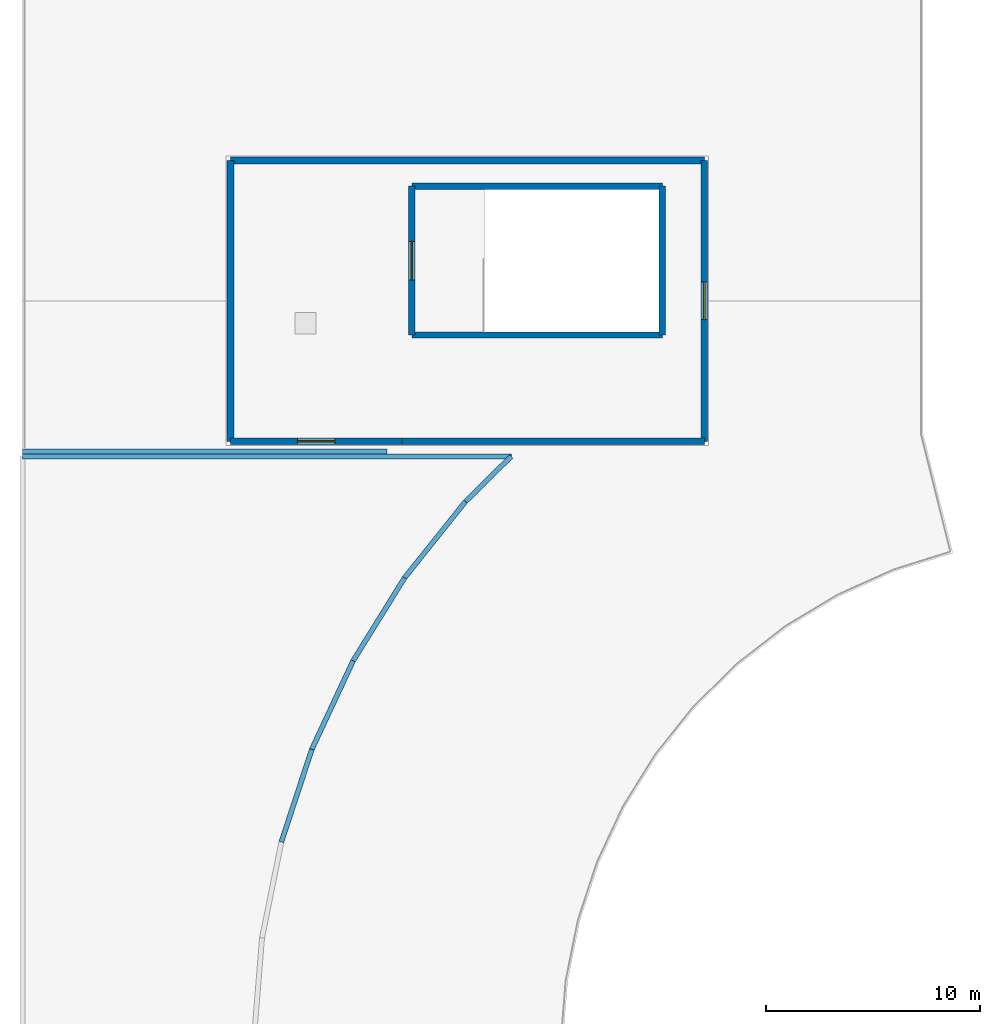
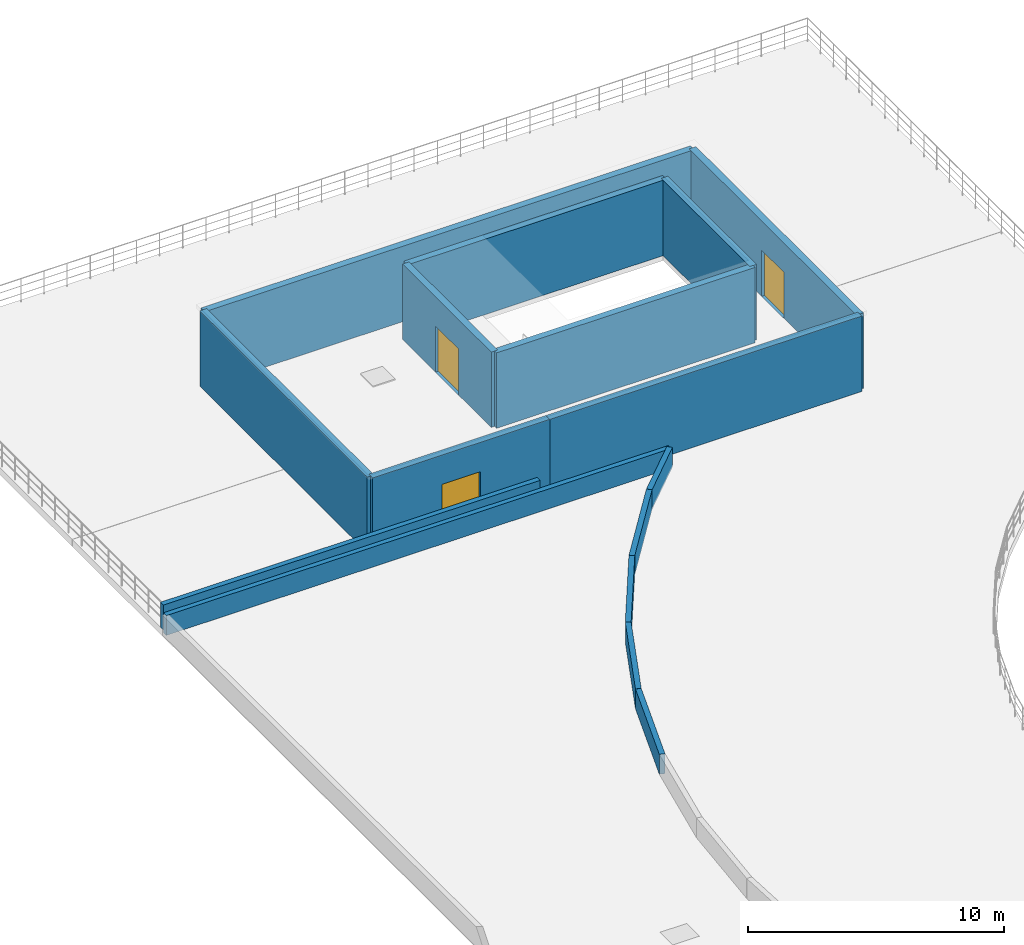
# One storey, part 27 of 45: 16 walls, 3 doors, 3 openings.
"""IFC4 building model written with IfcOpenShell, lengths in metres."""

from ifc_helpers import new_model, si_unit, direction, frame, frame_2d, origin, place, context, subcontext, project, spatial, rectangle, extrude, material, layer, layer_set, type_object, element, fill, save


model = new_model("IFC4")

# Units and contexts
model_context = context("Model", 3, precision=1e-05, world=origin(), true_north=direction((0.0, 1.0)))
body_context = subcontext(model_context, "Body", "Model", "MODEL_VIEW")
ifc_project = project(units=[si_unit("LENGTHUNIT", "METRE"), si_unit("AREAUNIT", "SQUARE_METRE"), si_unit("VOLUMEUNIT", "CUBIC_METRE"), si_unit("PLANEANGLEUNIT", "RADIAN"), si_unit("MASSUNIT", "GRAM", prefix="KILO")], contexts=[model_context])

# Site, building, storey
site_placement = place(None, origin())
site = spatial("IfcSite", under=ifc_project, at=site_placement, CompositionType="ELEMENT")
building_placement = place(site_placement, origin())
building = spatial("IfcBuilding", under=site, at=building_placement, Name="Cinderbank Siding Concert Hall", CompositionType="ELEMENT")
storey_placement = place(building_placement, frame((0.0, 0.0, 19.199951171875)))
storey = spatial("IfcBuildingStorey", under=building, at=storey_placement, Name="L05", CompositionType="ELEMENT", Elevation=19.199951171875)

# Wall, opening, door
ifc_material_1 = material(Name="Reinforced concrete AS 3600 N50 (50 MPa)", Category="concrete")
ifc_layer_1 = layer(ifc_material_1, 0.300048828125)
ifc_layer_set_1 = layer_set([ifc_layer_1], Name="Reinforced concrete AS 3600 N50 (50 MPa)")
wall_type_1 = type_object("IfcWallType", Name="WL-03 Structural Wall 300mm", PredefinedType="SHEAR", material=ifc_layer_set_1)
wall_1_placement = place(storey_placement, frame((24.9599609375, 101.4599609375, 0.0), z_axis=(0.0, 0.0, 1.0), x_axis=(0.0, 1.0, 0.0)))
wall_1 = element("IfcWall", 1, at=wall_1_placement, inside=storey, type_object=wall_type_1, Name="L05 ST-05 Core Wall ENTRY", PredefinedType="SHEAR", context=body_context, shape_type="SweptSolid", body=[
    extrude(rectangle(XDim=6.93994140625, YDim=0.300048828125, at=frame_2d((3.469970703125, 0.0))), origin(), (0.0, 0.0, 1.0), 3.60009765625),
])
opening_1_placement = place(wall_1_placement, frame((2.570068359375, 0.0, 0.0)))
opening_1 = element("IfcOpeningElement", 2, at=opening_1_placement, cuts=wall_1, Name="Opening D-05", PredefinedType="OPENING", context=body_context, shape_type="SweptSolid", body=[
    extrude(rectangle(XDim=1.800048828125, YDim=2.199951171875, at=frame_2d((0.89990234375, 1.10009765625))), frame((0.0, 0.162109375, 0.0), z_axis=(0.0, -1.0, 0.0), x_axis=(1.0, 0.0, 0.0)), (0.0, 0.0, 1.0), 0.323974609375),
])
ifc_material_2 = material(Name="Galvanised sheet steel acoustic fire door assembly", Category="steel")
door_type_1 = type_object("IfcDoorType", Name="D-05 Interior Door 1800x2200", OperationType="DOUBLE_DOOR_SINGLE_SWING", PredefinedType="DOOR", material=ifc_material_2)
door_1_placement = place(opening_1_placement, origin())
door_1 = element("IfcDoor", 3, at=door_1_placement, inside=storey, type_object=door_type_1, Name="L05 ST-05 Fire Stair Door L05-D034", OperationType="DOUBLE_DOOR_SINGLE_SWING", OverallHeight=2.199951171875, OverallWidth=1.800048828125, PredefinedType="DOOR", context=body_context, shape_type="SweptSolid", body=[
    extrude(rectangle(XDim=1.800048828125, YDim=2.199951171875, at=frame_2d((0.89990234375, 1.10009765625))), frame((0.0, 0.02490234375, 0.0), z_axis=(0.0, -1.0, 0.0), x_axis=(1.0, 0.0, 0.0)), (0.0, 0.0, 1.0), 0.050048828125),
])
fill(opening_1, door_1)

# Walls
wall_2_placement = place(storey_placement, frame((36.639892578125, 108.39990234375, 0.0), z_axis=(0.0, 0.0, 1.0), x_axis=(0.0, -1.0, 0.0)))
element("IfcWall", 4, at=wall_2_placement, inside=storey, type_object=wall_type_1, Name="L05 ST-05 Core Wall FAR", PredefinedType="SHEAR", context=body_context, shape_type="SweptSolid", body=[
    extrude(rectangle(XDim=6.93994140625, YDim=0.300048828125, at=frame_2d((3.469970703125, 0.0))), origin(), (0.0, 0.0, 1.0), 3.60009765625),
])
for number, where, z_axis, x_axis, name in (
    (5, (36.639892578125, 101.4599609375, 0.0), (0.0, 0.0, 1.0), (-1.0, 0.0, 0.0), "L05 ST-05 Core Wall SIDE1"),
    (6, (24.9599609375, 108.39990234375, 0.0), (0.0, 0.0, 1.0), (1.0, 0.0, 0.0), "L05 ST-05 Core Wall SIDE2"),
):
    element("IfcWall", number, at=place(storey_placement, frame(where, z_axis=z_axis, x_axis=x_axis)), inside=storey, type_object=wall_type_1, Name=name, PredefinedType="SHEAR", context=body_context, shape_type="SweptSolid", body=[
        extrude(rectangle(XDim=11.679931640625, YDim=0.300048828125, at=frame_2d((5.83984375, 0.0))), origin(), (0.0, 0.0, 1.0), 3.60009765625),
    ])

# Wall, opening, door
ifc_material_3 = material(Name="Clinker clay brickwork masonry AS 3700 (20 MPa)", Category="masonry")
ifc_layer_2 = layer(ifc_material_3, 0.31005859375)
ifc_layer_set_2 = layer_set([ifc_layer_2], Name="Clinker clay brickwork masonry AS 3700 (20 MPa)")
wall_type_2 = type_object("IfcWallType", Name="WL-08 Exterior Wall 310mm", PredefinedType="STANDARD", material=ifc_layer_set_2)
wall_3_placement = place(storey_placement, frame((24.5, 96.5, 0.0), z_axis=(0.0, 0.0, 1.0), x_axis=(-1.0, 0.0, 0.0)))
wall_3 = element("IfcWall", 7, at=wall_3_placement, inside=storey, type_object=wall_type_2, Name="L05 Garden Pavilion Wall EW-GD5-S", PredefinedType="STANDARD", context=body_context, shape_type="SweptSolid", body=[
    extrude(rectangle(XDim=8.0, YDim=0.31005859375, at=frame_2d((4.0, 0.0))), origin(), (0.0, 0.0, 1.0), 3.60009765625),
])
opening_2_placement = place(wall_3_placement, frame((3.125, 0.0, 0.0)))
opening_2 = element("IfcOpeningElement", 8, at=opening_2_placement, cuts=wall_3, Name="Opening TD-01", PredefinedType="OPENING", context=body_context, shape_type="SweptSolid", body=[
    extrude(rectangle(XDim=1.75, YDim=2.199951171875, at=frame_2d((0.875, 1.10009765625))), frame((0.0, 0.1669921875, 0.0), z_axis=(0.0, -1.0, 0.0), x_axis=(1.0, 0.0, 0.0)), (0.0, 0.0, 1.0), 0.333984375),
])
ifc_material_4 = material(Name="Solid-core spotted gum acoustic timber", Category="wood")
door_type_2 = type_object("IfcDoorType", Name="TD-01 Exterior Door 1750x2200", OperationType="DOUBLE_DOOR_SINGLE_SWING", PredefinedType="DOOR", material=ifc_material_4)
door_2_placement = place(opening_2_placement, origin())
door_2 = element("IfcDoor", 9, at=door_2_placement, inside=storey, type_object=door_type_2, Name="L05 Garden Terrace Door L05-ED051", OperationType="DOUBLE_DOOR_SINGLE_SWING", OverallHeight=2.199951171875, OverallWidth=1.75, PredefinedType="DOOR", context=body_context, shape_type="SweptSolid", body=[
    extrude(rectangle(XDim=1.75, YDim=2.199951171875, at=frame_2d((0.875, 1.10009765625))), frame((0.0, 0.02490234375, 0.0), z_axis=(0.0, -1.0, 0.0), x_axis=(1.0, 0.0, 0.0)), (0.0, 0.0, 1.0), 0.050048828125),
])
fill(opening_2, door_2)

# Walls
wall_4_placement = place(storey_placement, frame((38.60009765625, 96.5, 0.0), z_axis=(0.0, 0.0, 1.0), x_axis=(-1.0, 0.0, 0.0)))
element("IfcWall", 10, at=wall_4_placement, inside=storey, type_object=wall_type_2, Name="L05 Garden Pavilion Wall EW-GD5-S2", PredefinedType="STANDARD", context=body_context, shape_type="SweptSolid", body=[
    extrude(rectangle(XDim=14.10009765625, YDim=0.31005859375, at=frame_2d((7.050048828125, 0.0))), origin(), (0.0, 0.0, 1.0), 3.60009765625),
])
wall_5_placement = place(storey_placement, frame((16.5, 109.60009765625, 0.0), z_axis=(0.0, 0.0, 1.0), x_axis=(1.0, 0.0, 0.0)))
element("IfcWall", 11, at=wall_5_placement, inside=storey, type_object=wall_type_2, Name="L05 Garden Pavilion Wall EW-GD5-N", PredefinedType="STANDARD", context=body_context, shape_type="SweptSolid", body=[
    extrude(rectangle(XDim=22.10009765625, YDim=0.31005859375, at=frame_2d((11.050048828125, 0.0))), origin(), (0.0, 0.0, 1.0), 3.60009765625),
])
wall_6_placement = place(storey_placement, frame((16.5, 96.5, 0.0), z_axis=(0.0, 0.0, 1.0), x_axis=(0.0, 1.0, 0.0)))
element("IfcWall", 12, at=wall_6_placement, inside=storey, type_object=wall_type_2, Name="L05 Garden Pavilion Wall EW-GD5-W", PredefinedType="STANDARD", context=body_context, shape_type="SweptSolid", body=[
    extrude(rectangle(XDim=13.10009765625, YDim=0.31005859375, at=frame_2d((6.550048828125, 0.0))), origin(), (0.0, 0.0, 1.0), 3.60009765625),
])

# Wall, opening, door
wall_7_placement = place(storey_placement, frame((38.60009765625, 109.60009765625, 0.0), z_axis=(0.0, 0.0, 1.0), x_axis=(0.0, -1.0, 0.0)))
wall_7 = element("IfcWall", 13, at=wall_7_placement, inside=storey, type_object=wall_type_2, Name="L05 Garden Pavilion Wall EW-GD5-E", PredefinedType="STANDARD", context=body_context, shape_type="SweptSolid", body=[
    extrude(rectangle(XDim=13.10009765625, YDim=0.31005859375, at=frame_2d((6.550048828125, 0.0))), origin(), (0.0, 0.0, 1.0), 3.60009765625),
])
opening_3_placement = place(wall_7_placement, frame((5.675048828125, 0.0, 0.0)))
opening_3 = element("IfcOpeningElement", 14, at=opening_3_placement, cuts=wall_7, Name="Opening TD-01", PredefinedType="OPENING", context=body_context, shape_type="SweptSolid", body=[
    extrude(rectangle(XDim=1.75, YDim=2.199951171875, at=frame_2d((0.875, 1.10009765625))), frame((0.0, 0.1669921875, 0.0), z_axis=(0.0, -1.0, 0.0), x_axis=(1.0, 0.0, 0.0)), (0.0, 0.0, 1.0), 0.333984375),
])
door_3_placement = place(opening_3_placement, origin())
door_3 = element("IfcDoor", 15, at=door_3_placement, inside=storey, type_object=door_type_2, Name="L05 Garden Terrace Door L05-ED052", OperationType="DOUBLE_DOOR_SINGLE_SWING", OverallHeight=2.199951171875, OverallWidth=1.75, PredefinedType="DOOR", context=body_context, shape_type="SweptSolid", body=[
    extrude(rectangle(XDim=1.75, YDim=2.199951171875, at=frame_2d((0.875, 1.10009765625))), frame((0.0, 0.02490234375, 0.0), z_axis=(0.0, -1.0, 0.0), x_axis=(1.0, 0.0, 0.0)), (0.0, 0.0, 1.0), 0.050048828125),
])
fill(opening_3, door_3)

# Walls
ifc_layer_3 = layer(ifc_material_3, 0.22998046875)
ifc_layer_set_3 = layer_set([ifc_layer_3], Name="Clinker clay brickwork masonry AS 3700 (20 MPa)")
wall_type_3 = type_object("IfcWallType", Name="WL-10 Exterior Wall 230mm", PredefinedType="PARAPET", material=ifc_layer_set_3)
wall_8_placement = place(storey_placement, frame((6.800048828125, 96.02001953125, 0.0), z_axis=(0.0, 0.0, 1.0), x_axis=(1.0, 0.0, 0.0)))
element("IfcWall", 16, at=wall_8_placement, inside=storey, type_object=wall_type_3, Name="L05 Garden to West Spine Roof Dividing Parapet", PredefinedType="PARAPET", context=body_context, shape_type="SweptSolid", body=[
    extrude(rectangle(XDim=17.0, YDim=0.22998046875, at=frame_2d((8.5, 0.0))), origin(), (0.0, 0.0, 1.0), 1.199951171875),
])
wall_9_placement = place(storey_placement, frame((6.800048828125, 95.800048828125, -0.119873046875), z_axis=(0.0, 0.0, 1.0), x_axis=(1.0, 0.0, 0.0)))
element("IfcWall", 17, at=wall_9_placement, inside=storey, type_object=wall_type_3, Name="Roof Parapet ROOF-L05-WL-0", PredefinedType="PARAPET", context=body_context, shape_type="SweptSolid", body=[
    extrude(rectangle(XDim=22.798095703125, YDim=0.22998046875, at=frame_2d((11.39892578125, 0.0))), origin(), (0.0, 0.0, 1.0), 0.949951171875),
])
wall_10_placement = place(storey_placement, frame((29.59814453125, 95.800048828125, -0.119873046875), z_axis=(0.0, 0.0, 1.0), x_axis=(-0.712015516951, -0.702163729924, 0.0)))
element("IfcWall", 18, at=wall_10_placement, inside=storey, type_object=wall_type_3, Name="Roof Parapet ROOF-L05-WL-1", PredefinedType="PARAPET", context=body_context, shape_type="SweptSolid", body=[
    extrude(rectangle(XDim=2.99853515625, YDim=0.22998046875, at=frame_2d((1.499267578125, 0.0))), origin(), (0.0, 0.0, 1.0), 0.949951171875),
])
for number, where, z_axis, x_axis, name in (
    (19, (27.463134765625, 93.694580078125, -0.119873046875), (0.0, 0.0, 1.0), (-0.623877596751, -0.78152206896, 0.0), "Roof Parapet ROOF-L05-WL-2"),
    (20, (24.62158203125, 90.135009765625, -0.119873046875), (0.0, 0.0, 1.0), (-0.5269505098, -0.849895970235, 0.0), "Roof Parapet ROOF-L05-WL-3"),
    (21, (22.221435546875, 86.263916015625, -0.119873046875), (0.0, 0.0, 1.0), (-0.422603737243, -0.90631455978, 0.0), "Roof Parapet ROOF-L05-WL-4"),
    (22, (20.296630859375, 82.135986328125, -0.119873046875), (0.0, 0.0, 1.0), (-0.312333665048, -0.949972463642, 0.0), "Roof Parapet ROOF-L05-WL-5"),
):
    element("IfcWall", number, at=place(storey_placement, frame(where, z_axis=z_axis, x_axis=x_axis)), inside=storey, type_object=wall_type_3, Name=name, PredefinedType="PARAPET", context=body_context, shape_type="SweptSolid", body=[
        extrude(rectangle(XDim=4.5546875, YDim=0.22998046875, at=frame_2d((2.27734375, 0.0))), origin(), (0.0, 0.0, 1.0), 0.949951171875),
    ])

save(model, "model.ifc")
